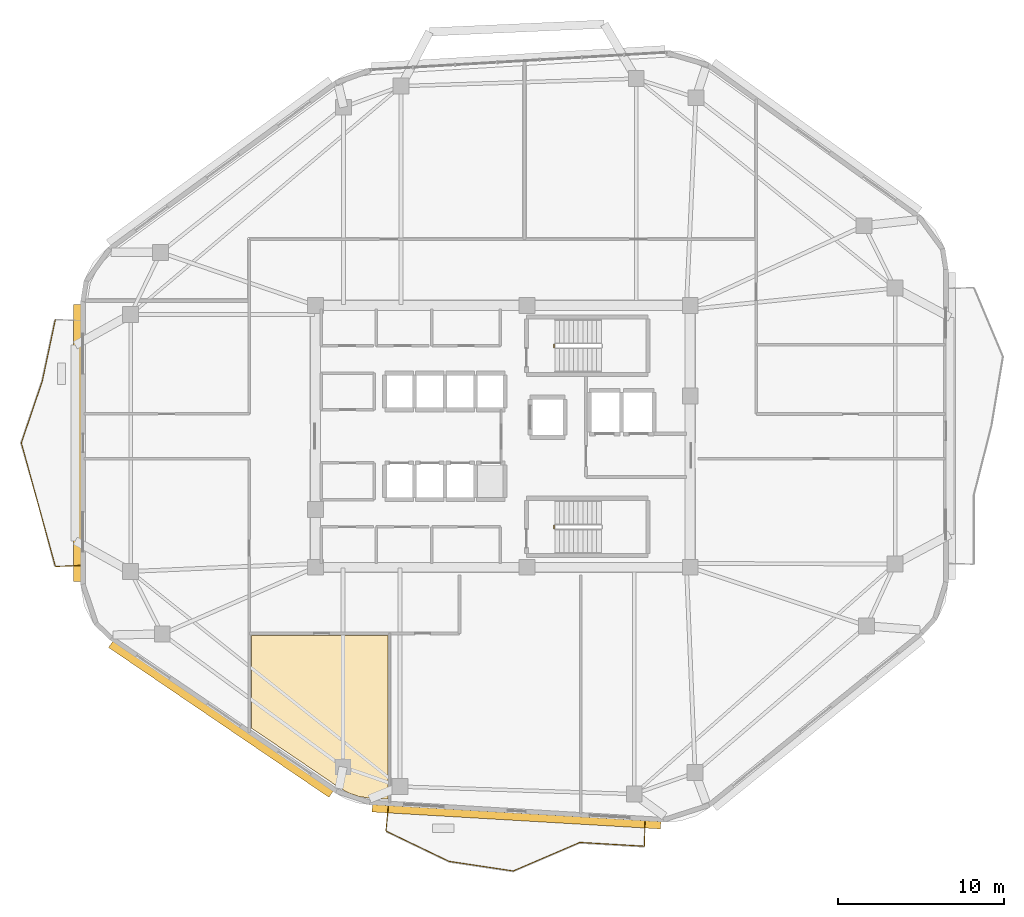
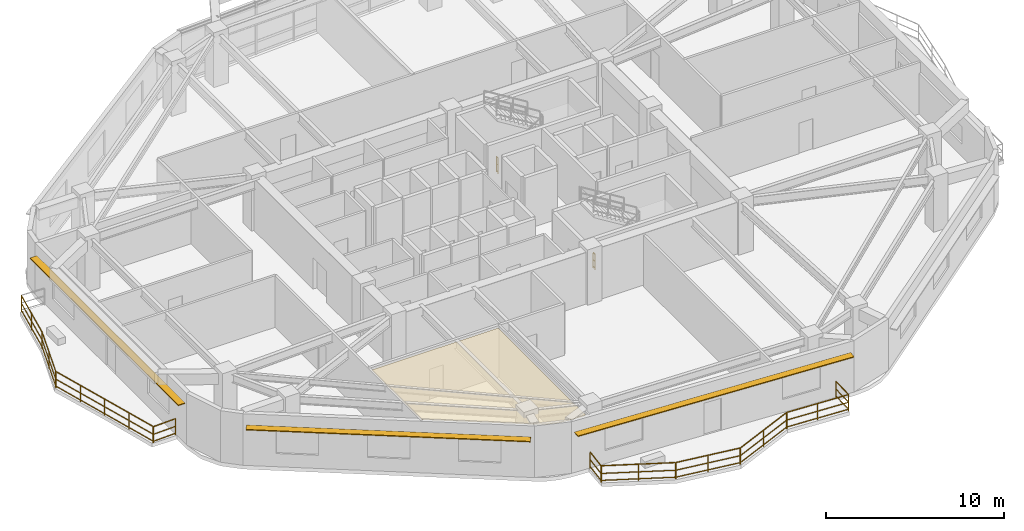
# One storey, part 12 of 15: 12 railings, 3 shading devices, 1 covering.
"""IFC4 building model written with IfcOpenShell, lengths in metres."""

from ifc_helpers import new_model, si_unit, direction, frame, origin, origin_2d, place, context, subcontext, project, spatial, polyline, rectangle, outline, extrude, material, layer, layer_set, type_object, element, save


model = new_model("IFC4")

# Units and contexts
model_context = context("Model", 3, precision=1e-05, world=origin(), true_north=direction((0.0, 1.0)))
body_context = subcontext(model_context, "Body", "Model", "MODEL_VIEW")
ifc_project = project(units=[si_unit("LENGTHUNIT", "METRE"), si_unit("AREAUNIT", "SQUARE_METRE"), si_unit("VOLUMEUNIT", "CUBIC_METRE"), si_unit("PLANEANGLEUNIT", "RADIAN"), si_unit("MASSUNIT", "GRAM", prefix="KILO")], contexts=[model_context])

# Site, building, storey
site_placement = place(None, origin())
site = spatial("IfcSite", under=ifc_project, at=site_placement, CompositionType="ELEMENT")
building_placement = place(site_placement, origin())
building = spatial("IfcBuilding", under=site, at=building_placement, Name="Zulverin Broadcast Headquarters", CompositionType="ELEMENT")
storey_placement = place(building_placement, frame((0.0, 0.0, 193.39990234375)))
storey = spatial("IfcBuildingStorey", under=building, at=storey_placement, Name="L49", CompositionType="ELEMENT", Elevation=193.39990234375)

# Covering
ifc_material_1 = material(Name="Perforated pale-metal acoustic baffle ceiling", Category="aluminium")
ifc_layer_1 = layer(ifc_material_1, 0.0400390625, Name="Perforated pale-metal acoustic baffle ceiling", Category="aluminium")
ifc_layer_set_1 = layer_set([ifc_layer_1], Name="Perforated pale-metal acoustic baffle ceiling")
covering_type = type_object("IfcCoveringType", Name="COV-CEIL-ACOU", PredefinedType="CEILING", material=ifc_layer_set_1)
covering_placement = place(storey_placement, frame((0.0, 0.0, 3.360107421875)))
element("IfcCovering", 1, at=covering_placement, inside=storey, type_object=covering_type, Name="L49 Acoustic Baffle Ceiling 03", PredefinedType="CEILING", context=body_context, shape_type="SweptSolid", body=[
    extrude(outline(polyline([(27.73193359375, 3.739990234375), (28.343994140625, 3.531982421875), (29.0, 3.431884765625), (30.080078125, 3.3720703125), (30.080078125, 13.23193359375), (21.8720703125, 13.23193359375), (21.8720703125, 7.652099609375), (27.156005859375, 4.06396484375), (27.73193359375, 3.739990234375)])), origin(), (0.0, 0.0, 1.0), 0.0400390625),
])

# Railings
ifc_material_2 = material(Name="Brushed stainless steel & laminated glass balustrade", Category="steel")
railing_type_1 = type_object("IfcRailingType", Name="RL-GUARD-1150", PredefinedType="GUARDRAIL", material=ifc_material_2)
railing_1_placement = place(storey_placement, frame((30.113037109375, 2.927001953125, 0.0)))
element("IfcRailing", 2, at=railing_1_placement, inside=storey, type_object=railing_type_1, Name="L49 Vertical-Forest Balcony Guardrail BAL_S Segment 01", PredefinedType="GUARDRAIL", context=body_context, shape_type="SweptSolid", body=[
    extrude(rectangle(XDim=0.048095703125, YDim=0.048095703125, at=origin_2d()), frame((0.0, 0.0, 1.1259765625), z_axis=(-0.099091482002, -0.995078327668, 0.0), x_axis=(0.995078327668, -0.099091482002, 0.0)), (0.0, 0.0, 1.0), 1.466064453125),
    extrude(rectangle(XDim=0.0419921875, YDim=0.0419921875, at=origin_2d()), frame((0.0, 0.0, 0.597900390625), z_axis=(-0.099091482002, -0.995078327668, 0.0), x_axis=(0.995078327668, -0.099091482002, 0.0)), (0.0, 0.0, 1.0), 1.466064453125),
    extrude(rectangle(XDim=0.0419921875, YDim=0.0419921875, at=origin_2d()), frame((0.0, 0.0, 0.1201171875), z_axis=(-0.099091482002, -0.995078327668, 0.0), x_axis=(0.995078327668, -0.099091482002, 0.0)), (0.0, 0.0, 1.0), 1.466064453125),
    extrude(rectangle(XDim=0.0419921875, YDim=0.0419921875, at=origin_2d()), origin(), (0.0, 0.0, 1.0), 1.101806640625),
    extrude(rectangle(XDim=0.0419921875, YDim=0.0419921875, at=origin_2d()), frame((-0.145263671875, -1.458740234375, 0.0)), (0.0, 0.0, 1.0), 1.101806640625),
])
railing_2_placement = place(storey_placement, frame((29.979736328125, 1.44677734375, 0.0)))
element("IfcRailing", 3, at=railing_2_placement, inside=storey, type_object=railing_type_1, Name="L49 Vertical-Forest Balcony Guardrail BAL_S Segment 02", PredefinedType="GUARDRAIL", context=body_context, shape_type="SweptSolid", body=[
    extrude(rectangle(XDim=0.048095703125, YDim=0.048095703125, at=origin_2d()), frame((0.0, 0.0, 1.1259765625), z_axis=(0.901302413126, -0.433190443214, 0.0), x_axis=(0.433190443214, 0.901302413126, 0.0)), (0.0, 0.0, 1.0), 4.1806640625),
    extrude(rectangle(XDim=0.0419921875, YDim=0.0419921875, at=origin_2d()), frame((0.0, 0.0, 0.597900390625), z_axis=(0.901302413126, -0.433190443214, 0.0), x_axis=(0.433190443214, 0.901302413126, 0.0)), (0.0, 0.0, 1.0), 4.1806640625),
    extrude(rectangle(XDim=0.0419921875, YDim=0.0419921875, at=origin_2d()), frame((0.0, 0.0, 0.1201171875), z_axis=(0.901302413126, -0.433190443214, 0.0), x_axis=(0.433190443214, 0.901302413126, 0.0)), (0.0, 0.0, 1.0), 4.1806640625),
    extrude(rectangle(XDim=0.0419921875, YDim=0.0419921875, at=origin_2d()), origin(), (0.0, 0.0, 1.0), 1.101806640625),
    extrude(rectangle(XDim=0.0419921875, YDim=0.0419921875, at=origin_2d()), frame((1.884033203125, -0.905517578125, 0.0)), (0.0, 0.0, 1.0), 1.101806640625),
    extrude(rectangle(XDim=0.0419921875, YDim=0.0419921875, at=origin_2d()), frame((3.76806640625, -1.81103515625, 0.0)), (0.0, 0.0, 1.0), 1.101806640625),
])
railing_3_placement = place(storey_placement, frame((33.776123046875, -0.373046875, 0.0)))
element("IfcRailing", 4, at=railing_3_placement, inside=storey, type_object=railing_type_1, Name="L49 Vertical-Forest Balcony Guardrail BAL_S Segment 03", PredefinedType="GUARDRAIL", context=body_context, shape_type="SweptSolid", body=[
    extrude(rectangle(XDim=0.048095703125, YDim=0.048095703125, at=origin_2d()), frame((0.0, 0.0, 1.1259765625), z_axis=(0.988939120982, -0.148321997664, 0.0), x_axis=(0.148321997664, 0.988939120982, 0.0)), (0.0, 0.0, 1.0), 3.88134765625),
    extrude(rectangle(XDim=0.0419921875, YDim=0.0419921875, at=origin_2d()), frame((0.0, 0.0, 0.597900390625), z_axis=(0.988939120982, -0.148321997664, 0.0), x_axis=(0.148321997664, 0.988939120982, 0.0)), (0.0, 0.0, 1.0), 3.88134765625),
    extrude(rectangle(XDim=0.0419921875, YDim=0.0419921875, at=origin_2d()), frame((0.0, 0.0, 0.1201171875), z_axis=(0.988939120982, -0.148321997664, 0.0), x_axis=(0.148321997664, 0.988939120982, 0.0)), (0.0, 0.0, 1.0), 3.88134765625),
    extrude(rectangle(XDim=0.0419921875, YDim=0.0419921875, at=origin_2d()), origin(), (0.0, 0.0, 1.0), 1.101806640625),
    extrude(rectangle(XDim=0.0419921875, YDim=0.0419921875, at=origin_2d()), frame((1.919189453125, -0.287841796875, 0.0)), (0.0, 0.0, 1.0), 1.101806640625),
    extrude(rectangle(XDim=0.0419921875, YDim=0.0419921875, at=origin_2d()), frame((3.83837890625, -0.57568359375, 0.0)), (0.0, 0.0, 1.0), 1.101806640625),
])
railing_4_placement = place(storey_placement, frame((37.643310546875, -0.945068359375, 0.0)))
element("IfcRailing", 5, at=railing_4_placement, inside=storey, type_object=railing_type_1, Name="L49 Vertical-Forest Balcony Guardrail BAL_S Segment 04", PredefinedType="GUARDRAIL", context=body_context, shape_type="SweptSolid", body=[
    extrude(rectangle(XDim=0.048095703125, YDim=0.048095703125, at=origin_2d()), frame((0.0, 0.0, 1.1259765625), z_axis=(0.918958113329, 0.394355152048, 0.0), x_axis=(-0.394355152048, 0.918958113329, 0.0)), (0.0, 0.0, 1.0), 4.326171875),
    extrude(rectangle(XDim=0.0419921875, YDim=0.0419921875, at=origin_2d()), frame((0.0, 0.0, 0.597900390625), z_axis=(0.918958113329, 0.394355152048, 0.0), x_axis=(-0.394355152048, 0.918958113329, 0.0)), (0.0, 0.0, 1.0), 4.326171875),
    extrude(rectangle(XDim=0.0419921875, YDim=0.0419921875, at=origin_2d()), frame((0.0, 0.0, 0.1201171875), z_axis=(0.918958113329, 0.394355152048, 0.0), x_axis=(-0.394355152048, 0.918958113329, 0.0)), (0.0, 0.0, 1.0), 4.326171875),
    extrude(rectangle(XDim=0.0419921875, YDim=0.0419921875, at=origin_2d()), origin(), (0.0, 0.0, 1.0), 1.101806640625),
    extrude(rectangle(XDim=0.0419921875, YDim=0.0419921875, at=origin_2d()), frame((1.98779296875, 0.85302734375, 0.0)), (0.0, 0.0, 1.0), 1.101806640625),
    extrude(rectangle(XDim=0.0419921875, YDim=0.0419921875, at=origin_2d()), frame((3.9755859375, 1.7060546875, 0.0)), (0.0, 0.0, 1.0), 1.101806640625),
])
railing_5_placement = place(storey_placement, frame((41.647705078125, 0.76611328125, 0.0)))
element("IfcRailing", 6, at=railing_5_placement, inside=storey, type_object=railing_type_1, Name="L49 Vertical-Forest Balcony Guardrail BAL_S Segment 05", PredefinedType="GUARDRAIL", context=body_context, shape_type="SweptSolid", body=[
    extrude(rectangle(XDim=0.048095703125, YDim=0.048095703125, at=origin_2d()), frame((0.0, 0.0, 1.1259765625), z_axis=(0.998277203241, -0.058673891042, 0.0), x_axis=(0.058673891042, 0.998277203241, 0.0)), (0.0, 0.0, 1.0), 3.865478515625),
    extrude(rectangle(XDim=0.0419921875, YDim=0.0419921875, at=origin_2d()), frame((0.0, 0.0, 0.597900390625), z_axis=(0.998277203241, -0.058673891042, 0.0), x_axis=(0.058673891042, 0.998277203241, 0.0)), (0.0, 0.0, 1.0), 3.865478515625),
    extrude(rectangle(XDim=0.0419921875, YDim=0.0419921875, at=origin_2d()), frame((0.0, 0.0, 0.1201171875), z_axis=(0.998277203241, -0.058673891042, 0.0), x_axis=(0.058673891042, 0.998277203241, 0.0)), (0.0, 0.0, 1.0), 3.865478515625),
    extrude(rectangle(XDim=0.0419921875, YDim=0.0419921875, at=origin_2d()), origin(), (0.0, 0.0, 1.0), 1.101806640625),
    extrude(rectangle(XDim=0.0419921875, YDim=0.0419921875, at=origin_2d()), frame((1.929443359375, -0.11328125, 0.0)), (0.0, 0.0, 1.0), 1.101806640625),
    extrude(rectangle(XDim=0.0419921875, YDim=0.0419921875, at=origin_2d()), frame((3.85888671875, -0.226806640625, 0.0)), (0.0, 0.0, 1.0), 1.101806640625),
])
railing_6_placement = place(storey_placement, frame((45.52197265625, 0.55322265625, 0.0)))
element("IfcRailing", 7, at=railing_6_placement, inside=storey, type_object=railing_type_1, Name="L49 Vertical-Forest Balcony Guardrail BAL_S Segment 06", PredefinedType="GUARDRAIL", context=body_context, shape_type="SweptSolid", body=[
    extrude(rectangle(XDim=0.048095703125, YDim=0.048095703125, at=origin_2d()), frame((0.0, 0.0, 1.1259765625), z_axis=(0.018148550851, 0.999835301488, 0.0), x_axis=(-0.999835301488, 0.018148550851, 0.0)), (0.0, 0.0, 1.0), 1.46630859375),
    extrude(rectangle(XDim=0.0419921875, YDim=0.0419921875, at=origin_2d()), frame((0.0, 0.0, 0.597900390625), z_axis=(0.018148550851, 0.999835301488, 0.0), x_axis=(-0.999835301488, 0.018148550851, 0.0)), (0.0, 0.0, 1.0), 1.46630859375),
    extrude(rectangle(XDim=0.0419921875, YDim=0.0419921875, at=origin_2d()), frame((0.0, 0.0, 0.1201171875), z_axis=(0.018148550851, 0.999835301488, 0.0), x_axis=(-0.999835301488, 0.018148550851, 0.0)), (0.0, 0.0, 1.0), 1.46630859375),
    extrude(rectangle(XDim=0.0419921875, YDim=0.0419921875, at=origin_2d()), origin(), (0.0, 0.0, 1.0), 1.101806640625),
    extrude(rectangle(XDim=0.0419921875, YDim=0.0419921875, at=origin_2d()), frame((0.026611328125, 1.466064453125, 0.0)), (0.0, 0.0, 1.0), 1.101806640625),
])
railing_7_placement = place(storey_placement, frame((10.076904296875, 32.2255859375, 0.0)))
element("IfcRailing", 8, at=railing_7_placement, inside=storey, type_object=railing_type_1, Name="L49 Vertical-Forest Balcony Guardrail BAL_W Segment 02", PredefinedType="GUARDRAIL", context=body_context, shape_type="SweptSolid", body=[
    extrude(rectangle(XDim=0.048095703125, YDim=0.048095703125, at=origin_2d()), frame((0.0, 0.0, 1.1259765625), z_axis=(-0.207631872706, -0.97820703608, 0.0), x_axis=(0.97820703608, -0.207631872706, 0.0)), (0.0, 0.0, 1.0), 3.77099609375),
    extrude(rectangle(XDim=0.0419921875, YDim=0.0419921875, at=origin_2d()), frame((0.0, 0.0, 0.597900390625), z_axis=(-0.207631872706, -0.97820703608, 0.0), x_axis=(0.97820703608, -0.207631872706, 0.0)), (0.0, 0.0, 1.0), 3.77099609375),
    extrude(rectangle(XDim=0.0419921875, YDim=0.0419921875, at=origin_2d()), frame((0.0, 0.0, 0.1201171875), z_axis=(-0.207631872706, -0.97820703608, 0.0), x_axis=(0.97820703608, -0.207631872706, 0.0)), (0.0, 0.0, 1.0), 3.77099609375),
    extrude(rectangle(XDim=0.0419921875, YDim=0.0419921875, at=origin_2d()), origin(), (0.0, 0.0, 1.0), 1.101806640625),
    extrude(rectangle(XDim=0.0419921875, YDim=0.0419921875, at=origin_2d()), frame((-0.3916015625, -1.84423828125, 0.0)), (0.0, 0.0, 1.0), 1.101806640625),
    extrude(rectangle(XDim=0.0419921875, YDim=0.0419921875, at=origin_2d()), frame((-0.782958984375, -3.688720703125, 0.0)), (0.0, 0.0, 1.0), 1.101806640625),
])
railing_8_placement = place(storey_placement, frame((9.2861328125, 28.5078125, 0.0)))
element("IfcRailing", 9, at=railing_8_placement, inside=storey, type_object=railing_type_1, Name="L49 Vertical-Forest Balcony Guardrail BAL_W Segment 03", PredefinedType="GUARDRAIL", context=body_context, shape_type="SweptSolid", body=[
    extrude(rectangle(XDim=0.048095703125, YDim=0.048095703125, at=origin_2d()), frame((0.0, 0.0, 1.1259765625), z_axis=(-0.3211488306, -0.947028736947, 0.0), x_axis=(0.947028736947, -0.3211488306, 0.0)), (0.0, 0.0, 1.0), 3.89599609375),
    extrude(rectangle(XDim=0.0419921875, YDim=0.0419921875, at=origin_2d()), frame((0.0, 0.0, 0.597900390625), z_axis=(-0.3211488306, -0.947028736947, 0.0), x_axis=(0.947028736947, -0.3211488306, 0.0)), (0.0, 0.0, 1.0), 3.89599609375),
    extrude(rectangle(XDim=0.0419921875, YDim=0.0419921875, at=origin_2d()), frame((0.0, 0.0, 0.1201171875), z_axis=(-0.3211488306, -0.947028736947, 0.0), x_axis=(0.947028736947, -0.3211488306, 0.0)), (0.0, 0.0, 1.0), 3.89599609375),
    extrude(rectangle(XDim=0.0419921875, YDim=0.0419921875, at=origin_2d()), origin(), (0.0, 0.0, 1.0), 1.101806640625),
    extrude(rectangle(XDim=0.0419921875, YDim=0.0419921875, at=origin_2d()), frame((-0.62548828125, -1.8447265625, 0.0)), (0.0, 0.0, 1.0), 1.101806640625),
    extrude(rectangle(XDim=0.0419921875, YDim=0.0419921875, at=origin_2d()), frame((-1.251220703125, -3.689697265625, 0.0)), (0.0, 0.0, 1.0), 1.101806640625),
])
railing_9_placement = place(storey_placement, frame((8.033935546875, 24.78955078125, 0.0)))
element("IfcRailing", 10, at=railing_9_placement, inside=storey, type_object=railing_type_1, Name="L49 Vertical-Forest Balcony Guardrail BAL_W Segment 04", PredefinedType="GUARDRAIL", context=body_context, shape_type="SweptSolid", body=[
    extrude(rectangle(XDim=0.048095703125, YDim=0.048095703125, at=origin_2d()), frame((0.0, 0.0, 1.1259765625), z_axis=(0.265753870636, -0.96404091212, 0.0), x_axis=(0.96404091212, 0.265753870636, 0.0)), (0.0, 0.0, 1.0), 7.683837890625),
    extrude(rectangle(XDim=0.0419921875, YDim=0.0419921875, at=origin_2d()), frame((0.0, 0.0, 0.597900390625), z_axis=(0.265753870636, -0.96404091212, 0.0), x_axis=(0.96404091212, 0.265753870636, 0.0)), (0.0, 0.0, 1.0), 7.683837890625),
    extrude(rectangle(XDim=0.0419921875, YDim=0.0419921875, at=origin_2d()), frame((0.0, 0.0, 0.1201171875), z_axis=(0.265753870636, -0.96404091212, 0.0), x_axis=(0.96404091212, 0.265753870636, 0.0)), (0.0, 0.0, 1.0), 7.683837890625),
    extrude(rectangle(XDim=0.0419921875, YDim=0.0419921875, at=origin_2d()), origin(), (0.0, 0.0, 1.0), 1.101806640625),
    extrude(rectangle(XDim=0.0419921875, YDim=0.0419921875, at=origin_2d()), frame((0.510498046875, -1.851806640625, 0.0)), (0.0, 0.0, 1.0), 1.101806640625),
    extrude(rectangle(XDim=0.0419921875, YDim=0.0419921875, at=origin_2d()), frame((1.02099609375, -3.70361328125, 0.0)), (0.0, 0.0, 1.0), 1.101806640625),
    extrude(rectangle(XDim=0.0419921875, YDim=0.0419921875, at=origin_2d()), frame((1.531494140625, -5.5556640625, 0.0)), (0.0, 0.0, 1.0), 1.101806640625),
    extrude(rectangle(XDim=0.0419921875, YDim=0.0419921875, at=origin_2d()), frame((2.0419921875, -7.407470703125, 0.0)), (0.0, 0.0, 1.0), 1.101806640625),
])
railing_10_placement = place(storey_placement, frame((10.094970703125, 17.3681640625, 0.0)))
element("IfcRailing", 11, at=railing_10_placement, inside=storey, type_object=railing_type_1, Name="L49 Vertical-Forest Balcony Guardrail BAL_W Segment 05", PredefinedType="GUARDRAIL", context=body_context, shape_type="SweptSolid", body=[
    extrude(rectangle(XDim=0.048095703125, YDim=0.048095703125, at=origin_2d()), frame((0.0, 0.0, 1.1259765625), z_axis=(0.999181155166, 0.040460093435, 0.0), x_axis=(-0.040460093435, 0.999181155166, 0.0)), (0.0, 0.0, 1.0), 1.46630859375),
    extrude(rectangle(XDim=0.0419921875, YDim=0.0419921875, at=origin_2d()), frame((0.0, 0.0, 0.597900390625), z_axis=(0.999181155166, 0.040460093435, 0.0), x_axis=(-0.040460093435, 0.999181155166, 0.0)), (0.0, 0.0, 1.0), 1.46630859375),
    extrude(rectangle(XDim=0.0419921875, YDim=0.0419921875, at=origin_2d()), frame((0.0, 0.0, 0.1201171875), z_axis=(0.999181155166, 0.040460093435, 0.0), x_axis=(-0.040460093435, 0.999181155166, 0.0)), (0.0, 0.0, 1.0), 1.46630859375),
    extrude(rectangle(XDim=0.0419921875, YDim=0.0419921875, at=origin_2d()), origin(), (0.0, 0.0, 1.0), 1.101806640625),
    extrude(rectangle(XDim=0.0419921875, YDim=0.0419921875, at=origin_2d()), frame((1.465087890625, 0.059326171875, 0.0)), (0.0, 0.0, 1.0), 1.101806640625),
])
ifc_material_3 = material(Name="Painted galvanized steel tubular guardrail S355JR", Category="steel")
railing_type_2 = type_object("IfcRailingType", Name="RL-ST-GUARD", PredefinedType="GUARDRAIL", material=ifc_material_3)
railing_11_placement = place(storey_placement, frame((40.080078125, 30.550048828125, 0.0)))
element("IfcRailing", 12, at=railing_11_placement, inside=storey, type_object=railing_type_2, Name="L49 ST-1 stair guard 4", PredefinedType="GUARDRAIL", context=body_context, shape_type="SweptSolid", body=[
    extrude(rectangle(XDim=0.048095703125, YDim=0.048095703125, at=origin_2d()), frame((0.0, 0.0, 1.076171875), z_axis=(0.0, 1.0, 0.0), x_axis=(-1.0, 0.0, 0.0)), (0.0, 0.0, 1.0), 0.199951171875),
    extrude(rectangle(XDim=0.0419921875, YDim=0.0419921875, at=origin_2d()), frame((0.0, 0.0, 0.572021484375), z_axis=(0.0, 1.0, 0.0), x_axis=(-1.0, 0.0, 0.0)), (0.0, 0.0, 1.0), 0.199951171875),
    extrude(rectangle(XDim=0.0419921875, YDim=0.0419921875, at=origin_2d()), frame((0.0, 0.0, 0.1201171875), z_axis=(0.0, 1.0, 0.0), x_axis=(-1.0, 0.0, 0.0)), (0.0, 0.0, 1.0), 0.199951171875),
    extrude(rectangle(XDim=0.0419921875, YDim=0.0419921875, at=origin_2d()), origin(), (0.0, 0.0, 1.0), 1.052001953125),
    extrude(rectangle(XDim=0.0419921875, YDim=0.0419921875, at=origin_2d()), frame((0.0, 0.199951171875, 0.0)), (0.0, 0.0, 1.0), 1.052001953125),
])
railing_12_placement = place(storey_placement, frame((40.080078125, 19.64990234375, 0.0)))
element("IfcRailing", 13, at=railing_12_placement, inside=storey, type_object=railing_type_2, Name="L49 ST-2 stair guard 4", PredefinedType="GUARDRAIL", context=body_context, shape_type="SweptSolid", body=[
    extrude(rectangle(XDim=0.048095703125, YDim=0.048095703125, at=origin_2d()), frame((0.0, 0.0, 1.076171875), z_axis=(0.0, 1.0, 0.0), x_axis=(-1.0, 0.0, 0.0)), (0.0, 0.0, 1.0), 0.2001953125),
    extrude(rectangle(XDim=0.0419921875, YDim=0.0419921875, at=origin_2d()), frame((0.0, 0.0, 0.572021484375), z_axis=(0.0, 1.0, 0.0), x_axis=(-1.0, 0.0, 0.0)), (0.0, 0.0, 1.0), 0.2001953125),
    extrude(rectangle(XDim=0.0419921875, YDim=0.0419921875, at=origin_2d()), frame((0.0, 0.0, 0.1201171875), z_axis=(0.0, 1.0, 0.0), x_axis=(-1.0, 0.0, 0.0)), (0.0, 0.0, 1.0), 0.2001953125),
    extrude(rectangle(XDim=0.0419921875, YDim=0.0419921875, at=origin_2d()), origin(), (0.0, 0.0, 1.0), 1.052001953125),
    extrude(rectangle(XDim=0.0419921875, YDim=0.0419921875, at=origin_2d()), frame((0.0, 0.2001953125, 0.0)), (0.0, 0.0, 1.0), 1.052001953125),
])

# Shading devices
ifc_material_4 = material(Name="Anodized pale-metal aluminium sunshade", Category="aluminium")
ifc_layer_2 = layer(ifc_material_4, 0.06005859375, Name="Anodized pale-metal aluminium sunshade", Category="aluminium")
ifc_layer_set_2 = layer_set([ifc_layer_2], Name="Anodized pale-metal aluminium sunshade")
shading_device_type = type_object("IfcShadingDeviceType", Name="SS-01_PALE_METAL_ALUMINIUM_SUNSHADE", PredefinedType="USERDEFINED", material=ifc_layer_set_2)
shading_device_1_placement = place(storey_placement, frame((37.821533203125, 2.3134765625, 2.7099609375), z_axis=(0.0, 0.0, 1.0), x_axis=(0.998274435348, -0.058720965002, 0.0)))
element("IfcShadingDevice", 14, at=shading_device_1_placement, inside=storey, type_object=shading_device_type, Name="L49 Horizontal Pale-Metal Sunshade Band 1", ObjectType="SUNSHADE", PredefinedType="USERDEFINED", context=body_context, shape_type="SweptSolid", body=[
    extrude(rectangle(XDim=17.38232421875, YDim=0.449951171875, at=origin_2d()), origin(), (0.0, 0.0, 1.0), 0.06005859375),
])
shading_device_2_placement = place(storey_placement, frame((11.39990234375, 24.803955078125, 2.7099609375), z_axis=(0.0, 0.0, 1.0), x_axis=(0.0, -1.0, 0.0)))
element("IfcShadingDevice", 15, at=shading_device_2_placement, inside=storey, type_object=shading_device_type, Name="L49 Horizontal Pale-Metal Sunshade Band 7", ObjectType="SUNSHADE", PredefinedType="USERDEFINED", context=body_context, shape_type="SweptSolid", body=[
    extrude(rectangle(XDim=16.672607421875, YDim=0.449951171875, at=origin_2d()), origin(), (0.0, 0.0, 1.0), 0.06005859375),
])
shading_device_3_placement = place(storey_placement, frame((20.034912109375, 8.17431640625, 2.7099609375), z_axis=(0.0, 0.0, 1.0), x_axis=(0.82702465201, -0.562165656162, 0.0)))
element("IfcShadingDevice", 16, at=shading_device_3_placement, inside=storey, type_object=shading_device_type, Name="L49 Horizontal Pale-Metal Sunshade Band 8", ObjectType="SUNSHADE", PredefinedType="USERDEFINED", context=body_context, shape_type="SweptSolid", body=[
    extrude(rectangle(XDim=16.03515625, YDim=0.449951171875, at=origin_2d()), origin(), (0.0, 0.0, 1.0), 0.06005859375),
])

save(model, "model.ifc")
